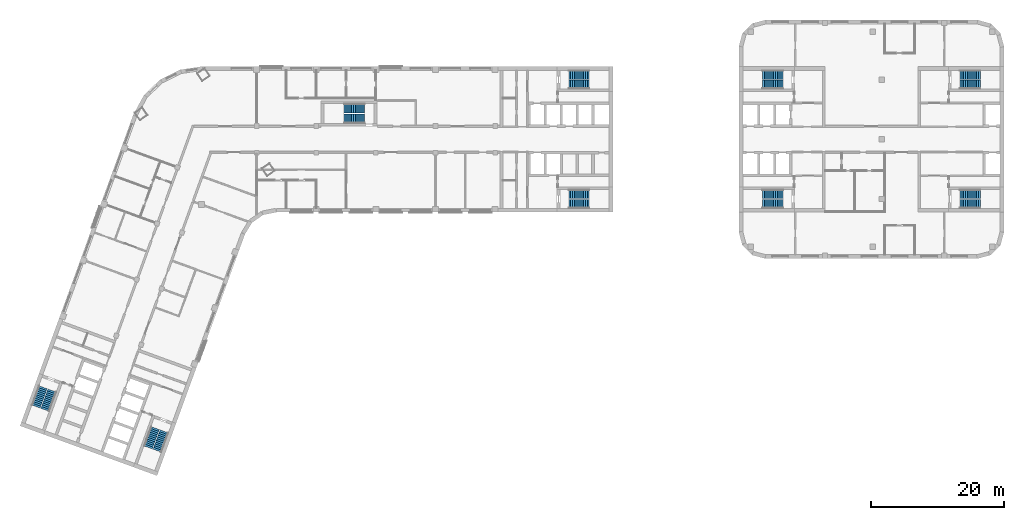
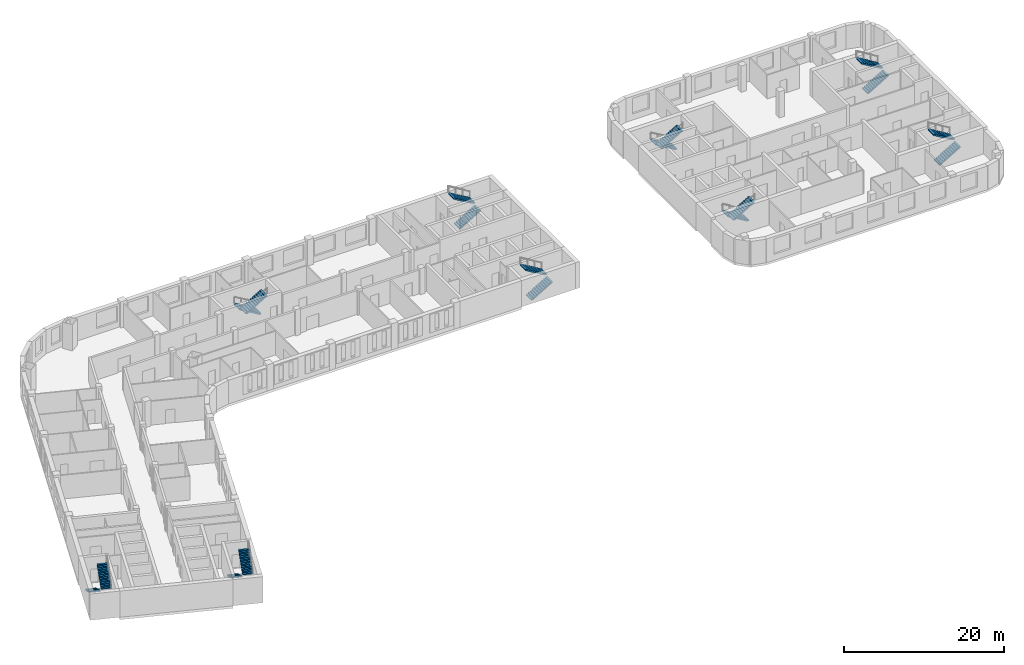
# One storey, part 10 of 12: 18 stair flights, 9 elements without a shape of their own.
"""IFC4 building model written with IfcOpenShell, lengths in metres."""

from ifc_helpers import new_model, si_unit, direction, frame, origin, place, context, subcontext, project, spatial, polyline, outline, extrude, material, type_object, element, aggregate, save


model = new_model("IFC4")

# Units and contexts
model_context = context("Model", 3, precision=1e-05, world=origin(), true_north=direction((0.0, 1.0)))
body_context = subcontext(model_context, "Body", "Model", "MODEL_VIEW")
ifc_project = project(units=[si_unit("LENGTHUNIT", "METRE"), si_unit("AREAUNIT", "SQUARE_METRE"), si_unit("VOLUMEUNIT", "CUBIC_METRE"), si_unit("PLANEANGLEUNIT", "RADIAN"), si_unit("MASSUNIT", "GRAM", prefix="KILO")], contexts=[model_context])

# Site, building, storey
site_placement = place(None, origin())
site = spatial("IfcSite", under=ifc_project, at=site_placement, CompositionType="ELEMENT")
building_placement = place(site_placement, origin())
building = spatial("IfcBuilding", under=site, at=building_placement, Name="Skarvind Civic Tower", CompositionType="ELEMENT")
storey_placement = place(building_placement, frame((0.0, 0.0, 39.5)))
storey = spatial("IfcBuildingStorey", under=building, at=storey_placement, Name="L08", CompositionType="ELEMENT", Elevation=39.5)

# Stair, stair flights
ifc_material = material(Name="Concrete C40/50", Category="concrete")
stair_type_1 = type_object("IfcStairType", Name="Exit stair 1450, half-turn, concrete", PredefinedType="HALF_TURN_STAIR", material=ifc_material)
stair_1_placement = place(storey_placement, origin())
stair_1 = element("IfcStair", 1, at=stair_1_placement, inside=storey, type_object=stair_type_1, Name="Exit stair CM", PredefinedType="HALF_TURN_STAIR")
stair_flight_type_1 = type_object("IfcStairFlightType", Name="Stair flight 1450, concrete", PredefinedType="STRAIGHT", material=ifc_material)
stair_flight_1_placement = place(storey_placement, frame((70.550048828125, 132.675048828125, 0.0), z_axis=(0.0, 0.0, 1.0), x_axis=(-1.0, 0.0, 0.0)))
stair_flight_1 = element("IfcStairFlight", 2, at=stair_flight_1_placement, type_object=stair_flight_type_1, Name="ST-CM flight 1", NumberOfRisers=12, NumberOfTreads=11, PredefinedType="STRAIGHT", RiserHeight=0.166666667, TreadLength=0.28, context=body_context, shape_type="SweptSolid", body=[
    extrude(outline(polyline([(0.0, 0.0), (0.0, 0.166748046875), (0.280029296875, 0.166748046875), (0.280029296875, 0.333251953125), (0.56005859375, 0.333251953125), (0.56005859375, 0.5), (0.840087890625, 0.5), (0.840087890625, 0.666748046875), (1.1201171875, 0.666748046875), (1.1201171875, 0.833251953125), (1.39990234375, 0.833251953125), (1.39990234375, 1.0), (1.679931640625, 1.0), (1.679931640625, 1.166748046875), (1.9599609375, 1.166748046875), (1.9599609375, 1.333251953125), (2.239990234375, 1.333251953125), (2.239990234375, 1.5), (2.52001953125, 1.5), (2.52001953125, 1.666748046875), (2.800048828125, 1.666748046875), (2.800048828125, 1.833251953125), (3.080078125, 1.833251953125), (3.080078125, 2.0), (3.080078125, 1.658935546875), (0.29296875, 0.0), (0.0, 0.0)])), frame((0.0, 0.72509765625, 0.0), z_axis=(0.0, -1.0, 0.0), x_axis=(1.0, 0.0, 0.0)), (0.0, 0.0, 1.0), 1.449951171875),
])
stair_flight_2_placement = place(storey_placement, frame((67.469970703125, 131.125, 2.0), z_axis=(0.0, 0.0, 1.0), x_axis=(1.0, 0.0, 0.0)))
stair_flight_2 = element("IfcStairFlight", 3, at=stair_flight_2_placement, type_object=stair_flight_type_1, Name="ST-CM flight 2", NumberOfRisers=12, NumberOfTreads=11, PredefinedType="STRAIGHT", RiserHeight=0.166666667, TreadLength=0.28, context=body_context, shape_type="SweptSolid", body=[
    extrude(outline(polyline([(0.0, 0.0), (0.0, 0.166748046875), (0.280029296875, 0.166748046875), (0.280029296875, 0.333251953125), (0.56005859375, 0.333251953125), (0.56005859375, 0.5), (0.840087890625, 0.5), (0.840087890625, 0.666748046875), (1.1201171875, 0.666748046875), (1.1201171875, 0.833251953125), (1.39990234375, 0.833251953125), (1.39990234375, 1.0), (1.679931640625, 1.0), (1.679931640625, 1.166748046875), (1.9599609375, 1.166748046875), (1.9599609375, 1.333251953125), (2.239990234375, 1.333251953125), (2.239990234375, 1.5), (2.52001953125, 1.5), (2.52001953125, 1.666748046875), (2.800048828125, 1.666748046875), (2.800048828125, 1.833251953125), (3.080078125, 1.833251953125), (3.080078125, 2.0), (3.080078125, 1.658935546875), (0.29296875, 0.0), (0.0, 0.0)])), frame((0.0, 0.72509765625, 0.0), z_axis=(0.0, -1.0, 0.0), x_axis=(1.0, 0.0, 0.0)), (0.0, 0.0, 1.0), 1.449951171875),
])
aggregate(stair_1, [stair_flight_1, stair_flight_2])

stair_type_2 = type_object("IfcStairType", Name="Exit stair, half-turn, concrete", PredefinedType="HALF_TURN_STAIR", material=ifc_material)
stair_2_placement = place(storey_placement, origin())
stair_2 = element("IfcStair", 4, at=stair_2_placement, inside=storey, type_object=stair_type_2, Name="Exit stair C1S", PredefinedType="HALF_TURN_STAIR")
stair_flight_type_2 = type_object("IfcStairFlightType", Name="Stair flight, concrete", PredefinedType="STRAIGHT", material=ifc_material)
stair_flight_3_placement = place(storey_placement, frame((101.35009765625, 136.27490234375, 0.0), z_axis=(0.0, 0.0, 1.0), x_axis=(1.0, 0.0, 0.0)))
stair_flight_3 = element("IfcStairFlight", 5, at=stair_flight_3_placement, type_object=stair_flight_type_2, Name="ST-C1S flight 1", NumberOfRisers=12, NumberOfTreads=11, PredefinedType="STRAIGHT", RiserHeight=0.166666667, TreadLength=0.28, context=body_context, shape_type="SweptSolid", body=[
    extrude(outline(polyline([(0.0, 0.0), (0.0, 0.166748046875), (0.280029296875, 0.166748046875), (0.280029296875, 0.333251953125), (0.56005859375, 0.333251953125), (0.56005859375, 0.5), (0.840087890625, 0.5), (0.840087890625, 0.666748046875), (1.1201171875, 0.666748046875), (1.1201171875, 0.833251953125), (1.39990234375, 0.833251953125), (1.39990234375, 1.0), (1.679931640625, 1.0), (1.679931640625, 1.166748046875), (1.9599609375, 1.166748046875), (1.9599609375, 1.333251953125), (2.239990234375, 1.333251953125), (2.239990234375, 1.5), (2.52001953125, 1.5), (2.52001953125, 1.666748046875), (2.800048828125, 1.666748046875), (2.800048828125, 1.833251953125), (3.080078125, 1.833251953125), (3.080078125, 2.0), (3.080078125, 1.658935546875), (0.29296875, 0.0), (0.0, 0.0)])), frame((0.0, 0.675048828125, 0.0), z_axis=(0.0, -1.0, 0.0), x_axis=(1.0, 0.0, 0.0)), (0.0, 0.0, 1.0), 1.35009765625),
])
stair_flight_4_placement = place(storey_placement, frame((104.429931640625, 137.72509765625, 2.0), z_axis=(0.0, 0.0, 1.0), x_axis=(-1.0, 0.0, 0.0)))
stair_flight_4 = element("IfcStairFlight", 6, at=stair_flight_4_placement, type_object=stair_flight_type_2, Name="ST-C1S flight 2", NumberOfRisers=12, NumberOfTreads=11, PredefinedType="STRAIGHT", RiserHeight=0.166666667, TreadLength=0.28, context=body_context, shape_type="SweptSolid", body=[
    extrude(outline(polyline([(0.0, 0.0), (0.0, 0.166748046875), (0.280029296875, 0.166748046875), (0.280029296875, 0.333251953125), (0.56005859375, 0.333251953125), (0.56005859375, 0.5), (0.840087890625, 0.5), (0.840087890625, 0.666748046875), (1.1201171875, 0.666748046875), (1.1201171875, 0.833251953125), (1.39990234375, 0.833251953125), (1.39990234375, 1.0), (1.679931640625, 1.0), (1.679931640625, 1.166748046875), (1.9599609375, 1.166748046875), (1.9599609375, 1.333251953125), (2.239990234375, 1.333251953125), (2.239990234375, 1.5), (2.52001953125, 1.5), (2.52001953125, 1.666748046875), (2.800048828125, 1.666748046875), (2.800048828125, 1.833251953125), (3.080078125, 1.833251953125), (3.080078125, 2.0), (3.080078125, 1.658935546875), (0.29296875, 0.0), (0.0, 0.0)])), frame((0.0, 0.675048828125, 0.0), z_axis=(0.0, -1.0, 0.0), x_axis=(1.0, 0.0, 0.0)), (0.0, 0.0, 1.0), 1.35009765625),
])
aggregate(stair_2, [stair_flight_3, stair_flight_4])

stair_3_placement = place(storey_placement, origin())
stair_3 = element("IfcStair", 7, at=stair_3_placement, inside=storey, type_object=stair_type_2, Name="Exit stair C1N", PredefinedType="HALF_TURN_STAIR")
stair_flight_5_placement = place(storey_placement, frame((101.35009765625, 118.27490234375, 0.0), z_axis=(0.0, 0.0, 1.0), x_axis=(1.0, 0.0, 0.0)))
stair_flight_5 = element("IfcStairFlight", 8, at=stair_flight_5_placement, type_object=stair_flight_type_2, Name="ST-C1N flight 1", NumberOfRisers=12, NumberOfTreads=11, PredefinedType="STRAIGHT", RiserHeight=0.166666667, TreadLength=0.28, context=body_context, shape_type="SweptSolid", body=[
    extrude(outline(polyline([(0.0, 0.0), (0.0, 0.166748046875), (0.280029296875, 0.166748046875), (0.280029296875, 0.333251953125), (0.56005859375, 0.333251953125), (0.56005859375, 0.5), (0.840087890625, 0.5), (0.840087890625, 0.666748046875), (1.1201171875, 0.666748046875), (1.1201171875, 0.833251953125), (1.39990234375, 0.833251953125), (1.39990234375, 1.0), (1.679931640625, 1.0), (1.679931640625, 1.166748046875), (1.9599609375, 1.166748046875), (1.9599609375, 1.333251953125), (2.239990234375, 1.333251953125), (2.239990234375, 1.5), (2.52001953125, 1.5), (2.52001953125, 1.666748046875), (2.800048828125, 1.666748046875), (2.800048828125, 1.833251953125), (3.080078125, 1.833251953125), (3.080078125, 2.0), (3.080078125, 1.658935546875), (0.29296875, 0.0), (0.0, 0.0)])), frame((0.0, 0.675048828125, 0.0), z_axis=(0.0, -1.0, 0.0), x_axis=(1.0, 0.0, 0.0)), (0.0, 0.0, 1.0), 1.35009765625),
])
stair_flight_6_placement = place(storey_placement, frame((104.429931640625, 119.72509765625, 2.0), z_axis=(0.0, 0.0, 1.0), x_axis=(-1.0, 0.0, 0.0)))
stair_flight_6 = element("IfcStairFlight", 9, at=stair_flight_6_placement, type_object=stair_flight_type_2, Name="ST-C1N flight 2", NumberOfRisers=12, NumberOfTreads=11, PredefinedType="STRAIGHT", RiserHeight=0.166666667, TreadLength=0.28, context=body_context, shape_type="SweptSolid", body=[
    extrude(outline(polyline([(0.0, 0.0), (0.0, 0.166748046875), (0.280029296875, 0.166748046875), (0.280029296875, 0.333251953125), (0.56005859375, 0.333251953125), (0.56005859375, 0.5), (0.840087890625, 0.5), (0.840087890625, 0.666748046875), (1.1201171875, 0.666748046875), (1.1201171875, 0.833251953125), (1.39990234375, 0.833251953125), (1.39990234375, 1.0), (1.679931640625, 1.0), (1.679931640625, 1.166748046875), (1.9599609375, 1.166748046875), (1.9599609375, 1.333251953125), (2.239990234375, 1.333251953125), (2.239990234375, 1.5), (2.52001953125, 1.5), (2.52001953125, 1.666748046875), (2.800048828125, 1.666748046875), (2.800048828125, 1.833251953125), (3.080078125, 1.833251953125), (3.080078125, 2.0), (3.080078125, 1.658935546875), (0.29296875, 0.0), (0.0, 0.0)])), frame((0.0, 0.675048828125, 0.0), z_axis=(0.0, -1.0, 0.0), x_axis=(1.0, 0.0, 0.0)), (0.0, 0.0, 1.0), 1.35009765625),
])
aggregate(stair_3, [stair_flight_5, stair_flight_6])

stair_4_placement = place(storey_placement, origin())
stair_4 = element("IfcStair", 10, at=stair_4_placement, inside=storey, type_object=stair_type_2, Name="Exit stair C2S", PredefinedType="HALF_TURN_STAIR")
stair_flight_7_placement = place(storey_placement, frame((38.949462890625, 84.43408203125, 0.0), z_axis=(0.0, 0.0, 1.0), x_axis=(-0.342020143326, -0.939692620786, 0.0)))
stair_flight_7 = element("IfcStairFlight", 11, at=stair_flight_7_placement, type_object=stair_flight_type_2, Name="ST-C2S flight 1", NumberOfRisers=12, NumberOfTreads=11, PredefinedType="STRAIGHT", RiserHeight=0.166666667, TreadLength=0.28, context=body_context, shape_type="SweptSolid", body=[
    extrude(outline(polyline([(0.0, 0.0), (0.0, 0.166748046875), (0.280029296875, 0.166748046875), (0.280029296875, 0.333251953125), (0.56005859375, 0.333251953125), (0.56005859375, 0.5), (0.840087890625, 0.5), (0.840087890625, 0.666748046875), (1.1201171875, 0.666748046875), (1.1201171875, 0.833251953125), (1.39990234375, 0.833251953125), (1.39990234375, 1.0), (1.679931640625, 1.0), (1.679931640625, 1.166748046875), (1.9599609375, 1.166748046875), (1.9599609375, 1.333251953125), (2.239990234375, 1.333251953125), (2.239990234375, 1.5), (2.52001953125, 1.5), (2.52001953125, 1.666748046875), (2.800048828125, 1.666748046875), (2.800048828125, 1.833251953125), (3.080078125, 1.833251953125), (3.080078125, 2.0), (3.080078125, 1.658935546875), (0.29296875, 0.0), (0.0, 0.0)])), frame((0.0, 0.675048828125, 0.0), z_axis=(0.0, -1.0, 0.0), x_axis=(1.0, 0.0, 0.0)), (0.0, 0.0, 1.0), 1.35009765625),
])
stair_flight_8_placement = place(storey_placement, frame((39.258544921875, 81.0439453125, 2.0), z_axis=(0.0, 0.0, 1.0), x_axis=(0.342020143326, 0.939692620786, 0.0)))
stair_flight_8 = element("IfcStairFlight", 12, at=stair_flight_8_placement, type_object=stair_flight_type_2, Name="ST-C2S flight 2", NumberOfRisers=12, NumberOfTreads=11, PredefinedType="STRAIGHT", RiserHeight=0.166666667, TreadLength=0.28, context=body_context, shape_type="SweptSolid", body=[
    extrude(outline(polyline([(0.0, 0.0), (0.0, 0.166748046875), (0.280029296875, 0.166748046875), (0.280029296875, 0.333251953125), (0.56005859375, 0.333251953125), (0.56005859375, 0.5), (0.840087890625, 0.5), (0.840087890625, 0.666748046875), (1.1201171875, 0.666748046875), (1.1201171875, 0.833251953125), (1.39990234375, 0.833251953125), (1.39990234375, 1.0), (1.679931640625, 1.0), (1.679931640625, 1.166748046875), (1.9599609375, 1.166748046875), (1.9599609375, 1.333251953125), (2.239990234375, 1.333251953125), (2.239990234375, 1.5), (2.52001953125, 1.5), (2.52001953125, 1.666748046875), (2.800048828125, 1.666748046875), (2.800048828125, 1.833251953125), (3.080078125, 1.833251953125), (3.080078125, 2.0), (3.080078125, 1.658935546875), (0.29296875, 0.0), (0.0, 0.0)])), frame((0.0, 0.675048828125, 0.0), z_axis=(0.0, -1.0, 0.0), x_axis=(1.0, 0.0, 0.0)), (0.0, 0.0, 1.0), 1.35009765625),
])
aggregate(stair_4, [stair_flight_7, stair_flight_8])

stair_5_placement = place(storey_placement, origin())
stair_5 = element("IfcStair", 13, at=stair_5_placement, inside=storey, type_object=stair_type_2, Name="Exit stair C2N", PredefinedType="HALF_TURN_STAIR")
stair_flight_9_placement = place(storey_placement, frame((22.034912109375, 90.590576171875, 0.0), z_axis=(0.0, 0.0, 1.0), x_axis=(-0.342020143326, -0.939692620786, 0.0)))
stair_flight_9 = element("IfcStairFlight", 14, at=stair_flight_9_placement, type_object=stair_flight_type_2, Name="ST-C2N flight 1", NumberOfRisers=12, NumberOfTreads=11, PredefinedType="STRAIGHT", RiserHeight=0.166666667, TreadLength=0.28, context=body_context, shape_type="SweptSolid", body=[
    extrude(outline(polyline([(0.0, 0.0), (0.0, 0.166748046875), (0.280029296875, 0.166748046875), (0.280029296875, 0.333251953125), (0.56005859375, 0.333251953125), (0.56005859375, 0.5), (0.840087890625, 0.5), (0.840087890625, 0.666748046875), (1.1201171875, 0.666748046875), (1.1201171875, 0.833251953125), (1.39990234375, 0.833251953125), (1.39990234375, 1.0), (1.679931640625, 1.0), (1.679931640625, 1.166748046875), (1.9599609375, 1.166748046875), (1.9599609375, 1.333251953125), (2.239990234375, 1.333251953125), (2.239990234375, 1.5), (2.52001953125, 1.5), (2.52001953125, 1.666748046875), (2.800048828125, 1.666748046875), (2.800048828125, 1.833251953125), (3.080078125, 1.833251953125), (3.080078125, 2.0), (3.080078125, 1.658935546875), (0.29296875, 0.0), (0.0, 0.0)])), frame((0.0, 0.675048828125, 0.0), z_axis=(0.0, -1.0, 0.0), x_axis=(1.0, 0.0, 0.0)), (0.0, 0.0, 1.0), 1.35009765625),
])
stair_flight_10_placement = place(storey_placement, frame((22.343994140625, 87.2001953125, 2.0), z_axis=(0.0, 0.0, 1.0), x_axis=(0.342020143326, 0.939692620786, 0.0)))
stair_flight_10 = element("IfcStairFlight", 15, at=stair_flight_10_placement, type_object=stair_flight_type_2, Name="ST-C2N flight 2", NumberOfRisers=12, NumberOfTreads=11, PredefinedType="STRAIGHT", RiserHeight=0.166666667, TreadLength=0.28, context=body_context, shape_type="SweptSolid", body=[
    extrude(outline(polyline([(0.0, 0.0), (0.0, 0.166748046875), (0.280029296875, 0.166748046875), (0.280029296875, 0.333251953125), (0.56005859375, 0.333251953125), (0.56005859375, 0.5), (0.840087890625, 0.5), (0.840087890625, 0.666748046875), (1.1201171875, 0.666748046875), (1.1201171875, 0.833251953125), (1.39990234375, 0.833251953125), (1.39990234375, 1.0), (1.679931640625, 1.0), (1.679931640625, 1.166748046875), (1.9599609375, 1.166748046875), (1.9599609375, 1.333251953125), (2.239990234375, 1.333251953125), (2.239990234375, 1.5), (2.52001953125, 1.5), (2.52001953125, 1.666748046875), (2.800048828125, 1.666748046875), (2.800048828125, 1.833251953125), (3.080078125, 1.833251953125), (3.080078125, 2.0), (3.080078125, 1.658935546875), (0.29296875, 0.0), (0.0, 0.0)])), frame((0.0, 0.675048828125, 0.0), z_axis=(0.0, -1.0, 0.0), x_axis=(1.0, 0.0, 0.0)), (0.0, 0.0, 1.0), 1.35009765625),
])
aggregate(stair_5, [stair_flight_9, stair_flight_10])

stair_6_placement = place(storey_placement, origin())
stair_6 = element("IfcStair", 16, at=stair_6_placement, inside=storey, type_object=stair_type_2, Name="Exit stair CAS", PredefinedType="HALF_TURN_STAIR")
stair_flight_11_placement = place(storey_placement, frame((133.64990234375, 119.72509765625, 0.0), z_axis=(0.0, 0.0, 1.0), x_axis=(-1.0, 0.0, 0.0)))
stair_flight_11 = element("IfcStairFlight", 17, at=stair_flight_11_placement, type_object=stair_flight_type_2, Name="ST-CAS flight 1", NumberOfRisers=12, NumberOfTreads=11, PredefinedType="STRAIGHT", RiserHeight=0.166666667, TreadLength=0.28, context=body_context, shape_type="SweptSolid", body=[
    extrude(outline(polyline([(0.0, 0.0), (0.0, 0.166748046875), (0.280029296875, 0.166748046875), (0.280029296875, 0.333251953125), (0.56005859375, 0.333251953125), (0.56005859375, 0.5), (0.840087890625, 0.5), (0.840087890625, 0.666748046875), (1.1201171875, 0.666748046875), (1.1201171875, 0.833251953125), (1.39990234375, 0.833251953125), (1.39990234375, 1.0), (1.679931640625, 1.0), (1.679931640625, 1.166748046875), (1.9599609375, 1.166748046875), (1.9599609375, 1.333251953125), (2.239990234375, 1.333251953125), (2.239990234375, 1.5), (2.52001953125, 1.5), (2.52001953125, 1.666748046875), (2.800048828125, 1.666748046875), (2.800048828125, 1.833251953125), (3.080078125, 1.833251953125), (3.080078125, 2.0), (3.080078125, 1.658935546875), (0.29296875, 0.0), (0.0, 0.0)])), frame((0.0, 0.675048828125, 0.0), z_axis=(0.0, -1.0, 0.0), x_axis=(1.0, 0.0, 0.0)), (0.0, 0.0, 1.0), 1.35009765625),
])
stair_flight_12_placement = place(storey_placement, frame((130.570068359375, 118.27490234375, 2.0), z_axis=(0.0, 0.0, 1.0), x_axis=(1.0, 0.0, 0.0)))
stair_flight_12 = element("IfcStairFlight", 18, at=stair_flight_12_placement, type_object=stair_flight_type_2, Name="ST-CAS flight 2", NumberOfRisers=12, NumberOfTreads=11, PredefinedType="STRAIGHT", RiserHeight=0.166666667, TreadLength=0.28, context=body_context, shape_type="SweptSolid", body=[
    extrude(outline(polyline([(0.0, 0.0), (0.0, 0.166748046875), (0.280029296875, 0.166748046875), (0.280029296875, 0.333251953125), (0.56005859375, 0.333251953125), (0.56005859375, 0.5), (0.840087890625, 0.5), (0.840087890625, 0.666748046875), (1.1201171875, 0.666748046875), (1.1201171875, 0.833251953125), (1.39990234375, 0.833251953125), (1.39990234375, 1.0), (1.679931640625, 1.0), (1.679931640625, 1.166748046875), (1.9599609375, 1.166748046875), (1.9599609375, 1.333251953125), (2.239990234375, 1.333251953125), (2.239990234375, 1.5), (2.52001953125, 1.5), (2.52001953125, 1.666748046875), (2.800048828125, 1.666748046875), (2.800048828125, 1.833251953125), (3.080078125, 1.833251953125), (3.080078125, 2.0), (3.080078125, 1.658935546875), (0.29296875, 0.0), (0.0, 0.0)])), frame((0.0, 0.675048828125, 0.0), z_axis=(0.0, -1.0, 0.0), x_axis=(1.0, 0.0, 0.0)), (0.0, 0.0, 1.0), 1.35009765625),
])
aggregate(stair_6, [stair_flight_11, stair_flight_12])

stair_7_placement = place(storey_placement, origin())
stair_7 = element("IfcStair", 19, at=stair_7_placement, inside=storey, type_object=stair_type_2, Name="Exit stair CAN", PredefinedType="HALF_TURN_STAIR")
stair_flight_13_placement = place(storey_placement, frame((133.64990234375, 137.72509765625, 0.0), z_axis=(0.0, 0.0, 1.0), x_axis=(-1.0, 0.0, 0.0)))
stair_flight_13 = element("IfcStairFlight", 20, at=stair_flight_13_placement, type_object=stair_flight_type_2, Name="ST-CAN flight 1", NumberOfRisers=12, NumberOfTreads=11, PredefinedType="STRAIGHT", RiserHeight=0.166666667, TreadLength=0.28, context=body_context, shape_type="SweptSolid", body=[
    extrude(outline(polyline([(0.0, 0.0), (0.0, 0.166748046875), (0.280029296875, 0.166748046875), (0.280029296875, 0.333251953125), (0.56005859375, 0.333251953125), (0.56005859375, 0.5), (0.840087890625, 0.5), (0.840087890625, 0.666748046875), (1.1201171875, 0.666748046875), (1.1201171875, 0.833251953125), (1.39990234375, 0.833251953125), (1.39990234375, 1.0), (1.679931640625, 1.0), (1.679931640625, 1.166748046875), (1.9599609375, 1.166748046875), (1.9599609375, 1.333251953125), (2.239990234375, 1.333251953125), (2.239990234375, 1.5), (2.52001953125, 1.5), (2.52001953125, 1.666748046875), (2.800048828125, 1.666748046875), (2.800048828125, 1.833251953125), (3.080078125, 1.833251953125), (3.080078125, 2.0), (3.080078125, 1.658935546875), (0.29296875, 0.0), (0.0, 0.0)])), frame((0.0, 0.675048828125, 0.0), z_axis=(0.0, -1.0, 0.0), x_axis=(1.0, 0.0, 0.0)), (0.0, 0.0, 1.0), 1.35009765625),
])
stair_flight_14_placement = place(storey_placement, frame((130.570068359375, 136.27490234375, 2.0), z_axis=(0.0, 0.0, 1.0), x_axis=(1.0, 0.0, 0.0)))
stair_flight_14 = element("IfcStairFlight", 21, at=stair_flight_14_placement, type_object=stair_flight_type_2, Name="ST-CAN flight 2", NumberOfRisers=12, NumberOfTreads=11, PredefinedType="STRAIGHT", RiserHeight=0.166666667, TreadLength=0.28, context=body_context, shape_type="SweptSolid", body=[
    extrude(outline(polyline([(0.0, 0.0), (0.0, 0.166748046875), (0.280029296875, 0.166748046875), (0.280029296875, 0.333251953125), (0.56005859375, 0.333251953125), (0.56005859375, 0.5), (0.840087890625, 0.5), (0.840087890625, 0.666748046875), (1.1201171875, 0.666748046875), (1.1201171875, 0.833251953125), (1.39990234375, 0.833251953125), (1.39990234375, 1.0), (1.679931640625, 1.0), (1.679931640625, 1.166748046875), (1.9599609375, 1.166748046875), (1.9599609375, 1.333251953125), (2.239990234375, 1.333251953125), (2.239990234375, 1.5), (2.52001953125, 1.5), (2.52001953125, 1.666748046875), (2.800048828125, 1.666748046875), (2.800048828125, 1.833251953125), (3.080078125, 1.833251953125), (3.080078125, 2.0), (3.080078125, 1.658935546875), (0.29296875, 0.0), (0.0, 0.0)])), frame((0.0, 0.675048828125, 0.0), z_axis=(0.0, -1.0, 0.0), x_axis=(1.0, 0.0, 0.0)), (0.0, 0.0, 1.0), 1.35009765625),
])
aggregate(stair_7, [stair_flight_13, stair_flight_14])

stair_8_placement = place(storey_placement, origin())
stair_8 = element("IfcStair", 22, at=stair_8_placement, inside=storey, type_object=stair_type_2, Name="Exit stair CBS", PredefinedType="HALF_TURN_STAIR")
stair_flight_15_placement = place(storey_placement, frame((160.35009765625, 136.27490234375, 0.0), z_axis=(0.0, 0.0, 1.0), x_axis=(1.0, 0.0, 0.0)))
stair_flight_15 = element("IfcStairFlight", 23, at=stair_flight_15_placement, type_object=stair_flight_type_2, Name="ST-CBS flight 1", NumberOfRisers=12, NumberOfTreads=11, PredefinedType="STRAIGHT", RiserHeight=0.166666667, TreadLength=0.28, context=body_context, shape_type="SweptSolid", body=[
    extrude(outline(polyline([(0.0, 0.0), (0.0, 0.166748046875), (0.280029296875, 0.166748046875), (0.280029296875, 0.333251953125), (0.56005859375, 0.333251953125), (0.56005859375, 0.5), (0.840087890625, 0.5), (0.840087890625, 0.666748046875), (1.1201171875, 0.666748046875), (1.1201171875, 0.833251953125), (1.39990234375, 0.833251953125), (1.39990234375, 1.0), (1.679931640625, 1.0), (1.679931640625, 1.166748046875), (1.9599609375, 1.166748046875), (1.9599609375, 1.333251953125), (2.239990234375, 1.333251953125), (2.239990234375, 1.5), (2.52001953125, 1.5), (2.52001953125, 1.666748046875), (2.800048828125, 1.666748046875), (2.800048828125, 1.833251953125), (3.080078125, 1.833251953125), (3.080078125, 2.0), (3.080078125, 1.658935546875), (0.29296875, 0.0), (0.0, 0.0)])), frame((0.0, 0.675048828125, 0.0), z_axis=(0.0, -1.0, 0.0), x_axis=(1.0, 0.0, 0.0)), (0.0, 0.0, 1.0), 1.35009765625),
])
stair_flight_16_placement = place(storey_placement, frame((163.429931640625, 137.72509765625, 2.0), z_axis=(0.0, 0.0, 1.0), x_axis=(-1.0, 0.0, 0.0)))
stair_flight_16 = element("IfcStairFlight", 24, at=stair_flight_16_placement, type_object=stair_flight_type_2, Name="ST-CBS flight 2", NumberOfRisers=12, NumberOfTreads=11, PredefinedType="STRAIGHT", RiserHeight=0.166666667, TreadLength=0.28, context=body_context, shape_type="SweptSolid", body=[
    extrude(outline(polyline([(0.0, 0.0), (0.0, 0.166748046875), (0.280029296875, 0.166748046875), (0.280029296875, 0.333251953125), (0.56005859375, 0.333251953125), (0.56005859375, 0.5), (0.840087890625, 0.5), (0.840087890625, 0.666748046875), (1.1201171875, 0.666748046875), (1.1201171875, 0.833251953125), (1.39990234375, 0.833251953125), (1.39990234375, 1.0), (1.679931640625, 1.0), (1.679931640625, 1.166748046875), (1.9599609375, 1.166748046875), (1.9599609375, 1.333251953125), (2.239990234375, 1.333251953125), (2.239990234375, 1.5), (2.52001953125, 1.5), (2.52001953125, 1.666748046875), (2.800048828125, 1.666748046875), (2.800048828125, 1.833251953125), (3.080078125, 1.833251953125), (3.080078125, 2.0), (3.080078125, 1.658935546875), (0.29296875, 0.0), (0.0, 0.0)])), frame((0.0, 0.675048828125, 0.0), z_axis=(0.0, -1.0, 0.0), x_axis=(1.0, 0.0, 0.0)), (0.0, 0.0, 1.0), 1.35009765625),
])
aggregate(stair_8, [stair_flight_15, stair_flight_16])

stair_9_placement = place(storey_placement, origin())
stair_9 = element("IfcStair", 25, at=stair_9_placement, inside=storey, type_object=stair_type_2, Name="Exit stair CBN", PredefinedType="HALF_TURN_STAIR")
stair_flight_17_placement = place(storey_placement, frame((160.35009765625, 118.27490234375, 0.0), z_axis=(0.0, 0.0, 1.0), x_axis=(1.0, 0.0, 0.0)))
stair_flight_17 = element("IfcStairFlight", 26, at=stair_flight_17_placement, type_object=stair_flight_type_2, Name="ST-CBN flight 1", NumberOfRisers=12, NumberOfTreads=11, PredefinedType="STRAIGHT", RiserHeight=0.166666667, TreadLength=0.28, context=body_context, shape_type="SweptSolid", body=[
    extrude(outline(polyline([(0.0, 0.0), (0.0, 0.166748046875), (0.280029296875, 0.166748046875), (0.280029296875, 0.333251953125), (0.56005859375, 0.333251953125), (0.56005859375, 0.5), (0.840087890625, 0.5), (0.840087890625, 0.666748046875), (1.1201171875, 0.666748046875), (1.1201171875, 0.833251953125), (1.39990234375, 0.833251953125), (1.39990234375, 1.0), (1.679931640625, 1.0), (1.679931640625, 1.166748046875), (1.9599609375, 1.166748046875), (1.9599609375, 1.333251953125), (2.239990234375, 1.333251953125), (2.239990234375, 1.5), (2.52001953125, 1.5), (2.52001953125, 1.666748046875), (2.800048828125, 1.666748046875), (2.800048828125, 1.833251953125), (3.080078125, 1.833251953125), (3.080078125, 2.0), (3.080078125, 1.658935546875), (0.29296875, 0.0), (0.0, 0.0)])), frame((0.0, 0.675048828125, 0.0), z_axis=(0.0, -1.0, 0.0), x_axis=(1.0, 0.0, 0.0)), (0.0, 0.0, 1.0), 1.35009765625),
])
stair_flight_18_placement = place(storey_placement, frame((163.429931640625, 119.72509765625, 2.0), z_axis=(0.0, 0.0, 1.0), x_axis=(-1.0, 0.0, 0.0)))
stair_flight_18 = element("IfcStairFlight", 27, at=stair_flight_18_placement, type_object=stair_flight_type_2, Name="ST-CBN flight 2", NumberOfRisers=12, NumberOfTreads=11, PredefinedType="STRAIGHT", RiserHeight=0.166666667, TreadLength=0.28, context=body_context, shape_type="SweptSolid", body=[
    extrude(outline(polyline([(0.0, 0.0), (0.0, 0.166748046875), (0.280029296875, 0.166748046875), (0.280029296875, 0.333251953125), (0.56005859375, 0.333251953125), (0.56005859375, 0.5), (0.840087890625, 0.5), (0.840087890625, 0.666748046875), (1.1201171875, 0.666748046875), (1.1201171875, 0.833251953125), (1.39990234375, 0.833251953125), (1.39990234375, 1.0), (1.679931640625, 1.0), (1.679931640625, 1.166748046875), (1.9599609375, 1.166748046875), (1.9599609375, 1.333251953125), (2.239990234375, 1.333251953125), (2.239990234375, 1.5), (2.52001953125, 1.5), (2.52001953125, 1.666748046875), (2.800048828125, 1.666748046875), (2.800048828125, 1.833251953125), (3.080078125, 1.833251953125), (3.080078125, 2.0), (3.080078125, 1.658935546875), (0.29296875, 0.0), (0.0, 0.0)])), frame((0.0, 0.675048828125, 0.0), z_axis=(0.0, -1.0, 0.0), x_axis=(1.0, 0.0, 0.0)), (0.0, 0.0, 1.0), 1.35009765625),
])
aggregate(stair_9, [stair_flight_17, stair_flight_18])

save(model, "model.ifc")
